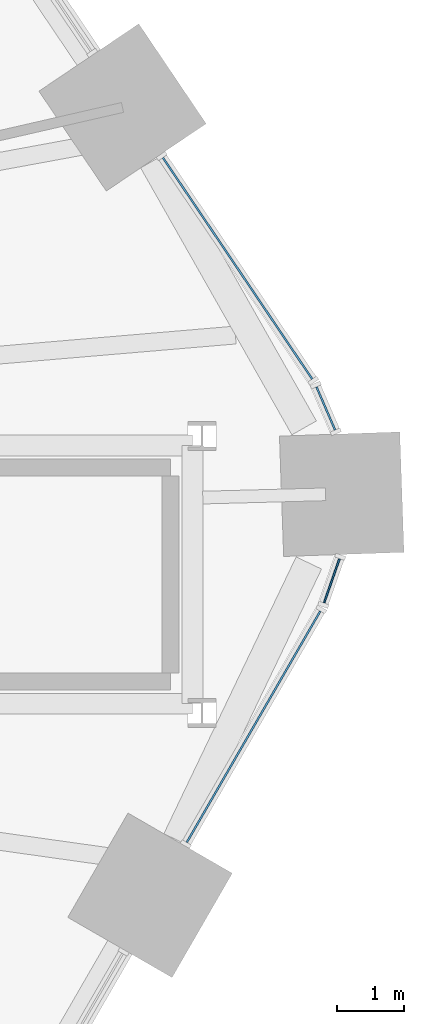
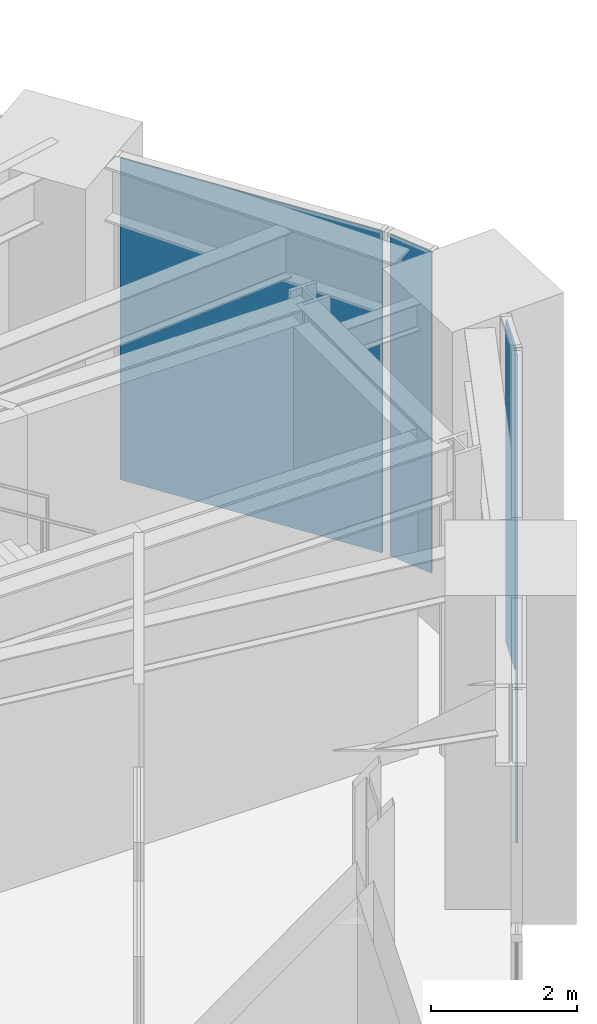
# One storey, part 20 of 30: 4 plates, 4 elements without a shape of their own.
"""IFC4 building model written with IfcOpenShell, lengths in metres."""

from ifc_helpers import new_model, si_unit, direction, frame, origin, origin_2d, place, context, subcontext, project, spatial, rectangle, extrude, material, layer, layer_set, type_object, element, aggregate, save


model = new_model("IFC4")

# Units and contexts
model_context = context("Model", 3, precision=1e-05, world=origin(), true_north=direction((0.0, 1.0)))
body_context = subcontext(model_context, "Body", "Model", "MODEL_VIEW")
ifc_project = project(units=[si_unit("LENGTHUNIT", "METRE"), si_unit("AREAUNIT", "SQUARE_METRE"), si_unit("VOLUMEUNIT", "CUBIC_METRE"), si_unit("PLANEANGLEUNIT", "RADIAN"), si_unit("MASSUNIT", "GRAM", prefix="KILO")], contexts=[model_context])

# Site, building, storey
site_placement = place(None, origin())
site = spatial("IfcSite", under=ifc_project, at=site_placement, CompositionType="ELEMENT")
building_placement = place(site_placement, origin())
building = spatial("IfcBuilding", under=site, at=building_placement, Name="Tarnside Tower", CompositionType="ELEMENT")
storey_placement = place(building_placement, frame((0.0, 0.0, 20.5)))
storey = spatial("IfcBuildingStorey", under=building, at=storey_placement, Name="L03", CompositionType="ELEMENT", Elevation=20.5)

# Curtain wall, plate
ifc_material_1 = material(Name="Retail shopfront glazing wall", Category="glass")
curtain_wall_type = type_object("IfcCurtainWallType", Name="Retail shopfront glazing wall", PredefinedType="NOTDEFINED", material=ifc_material_1)
curtain_wall_1_placement = place(storey_placement, origin())
curtain_wall_1 = element("IfcCurtainWall", 1, at=curtain_wall_1_placement, inside=storey, type_object=curtain_wall_type, Name="Retail shopfront glazing L03 18.0", PredefinedType="NOTDEFINED")
ifc_material_2 = material(Name="Low-iron safety glass", Category="glass")
ifc_layer = layer(ifc_material_2, 0.028076171875)
ifc_layer_set = layer_set([ifc_layer], Name="Retail shopfront glazing panel 28")
plate_type = type_object("IfcPlateType", Name="Retail shopfront glazing panel 28", PredefinedType="CURTAIN_PANEL", material=ifc_layer_set)
plate_1_placement = place(storey_placement, frame((32.365966796875, -2.300537109375, -0.18994140625), z_axis=(0.0, 0.0, 1.0), x_axis=(0.499999999849, 0.866025403872, 0.0)))
plate_1 = element("IfcPlate", 2, at=plate_1_placement, type_object=plate_type, Name="CW2 panel 1.1", PredefinedType="CURTAIN_PANEL", context=body_context, shape_type="SweptSolid", body=[
    extrude(rectangle(XDim=3.991943359375, YDim=0.028076171875, at=origin_2d()), origin(), (0.0, 0.0, 1.0), 5.3798828125),
])
aggregate(curtain_wall_1, [plate_1])

curtain_wall_2_placement = place(storey_placement, origin())
curtain_wall_2 = element("IfcCurtainWall", 3, at=curtain_wall_2_placement, inside=storey, type_object=curtain_wall_type, Name="Retail shopfront glazing L03 18.1", PredefinedType="NOTDEFINED")
plate_2_placement = place(storey_placement, frame((33.5361328125, -0.118896484375, -0.18994140625), z_axis=(0.0, 0.0, 1.0), x_axis=(0.331063417649, 0.943608506476, 0.0)))
plate_2 = element("IfcPlate", 4, at=plate_2_placement, type_object=plate_type, Name="CW2 panel 1.1", PredefinedType="CURTAIN_PANEL", context=body_context, shape_type="SweptSolid", body=[
    extrude(rectangle(XDim=0.701416015625, YDim=0.028076171875, at=origin_2d()), origin(), (0.0, 0.0, 1.0), 5.3798828125),
])
aggregate(curtain_wall_2, [plate_2])

curtain_wall_3_placement = place(storey_placement, origin())
curtain_wall_3 = element("IfcCurtainWall", 5, at=curtain_wall_3_placement, inside=storey, type_object=curtain_wall_type, Name="Retail shopfront glazing L03 19.0", PredefinedType="NOTDEFINED")
plate_3_placement = place(storey_placement, frame((33.446044921875, 2.4580078125, -0.18994140625), z_axis=(0.0, 0.0, 1.0), x_axis=(-0.396079765761, 0.918216107, 0.0)))
plate_3 = element("IfcPlate", 6, at=plate_3_placement, type_object=plate_type, Name="CW2 panel 1.1", PredefinedType="CURTAIN_PANEL", context=body_context, shape_type="SweptSolid", body=[
    extrude(rectangle(XDim=0.701416015625, YDim=0.028076171875, at=origin_2d()), origin(), (0.0, 0.0, 1.0), 5.3798828125),
])
aggregate(curtain_wall_3, [plate_3])

curtain_wall_4_placement = place(storey_placement, origin())
curtain_wall_4 = element("IfcCurtainWall", 7, at=curtain_wall_4_placement, inside=storey, type_object=curtain_wall_type, Name="Retail shopfront glazing L03 19.1", PredefinedType="NOTDEFINED")
plate_4_placement = place(storey_placement, frame((32.126708984375, 4.552734375, -0.18994140625), z_axis=(0.0, 0.0, 1.0), x_axis=(-0.559192903572, 0.829037572487, 0.0)))
plate_4 = element("IfcPlate", 8, at=plate_4_placement, type_object=plate_type, Name="CW2 panel 1.1", PredefinedType="CURTAIN_PANEL", context=body_context, shape_type="SweptSolid", body=[
    extrude(rectangle(XDim=3.991943359375, YDim=0.028076171875, at=origin_2d()), origin(), (0.0, 0.0, 1.0), 5.3798828125),
])
aggregate(curtain_wall_4, [plate_4])

save(model, "model.ifc")
